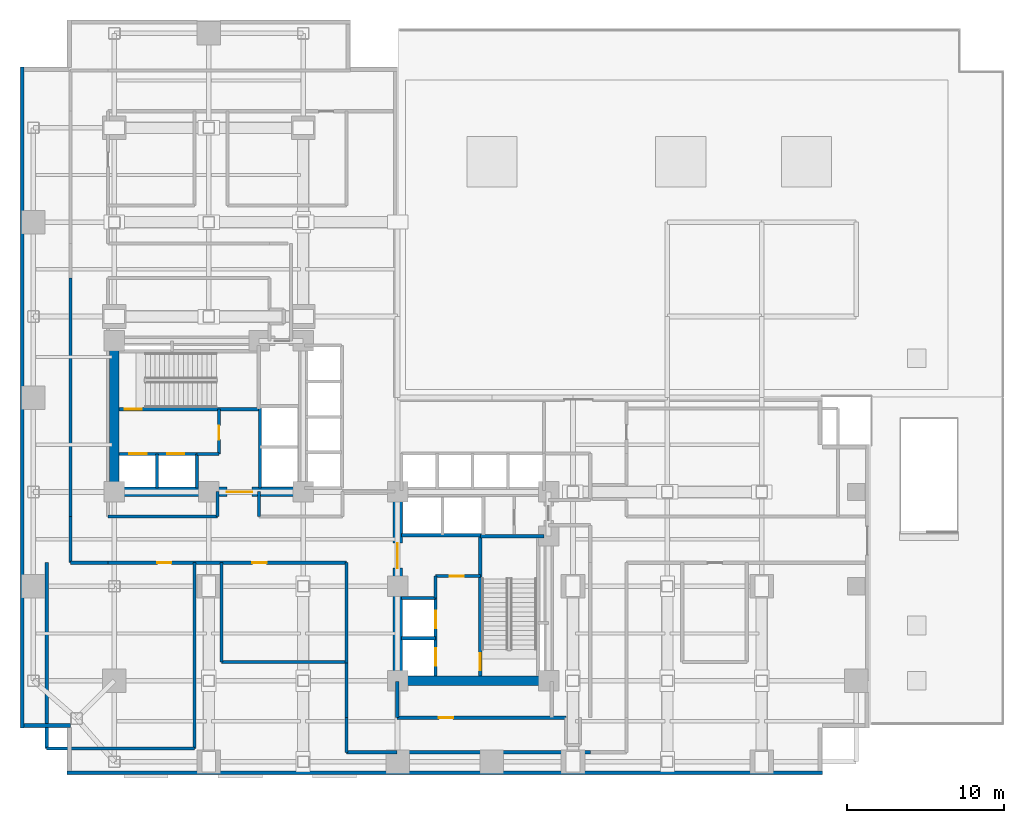
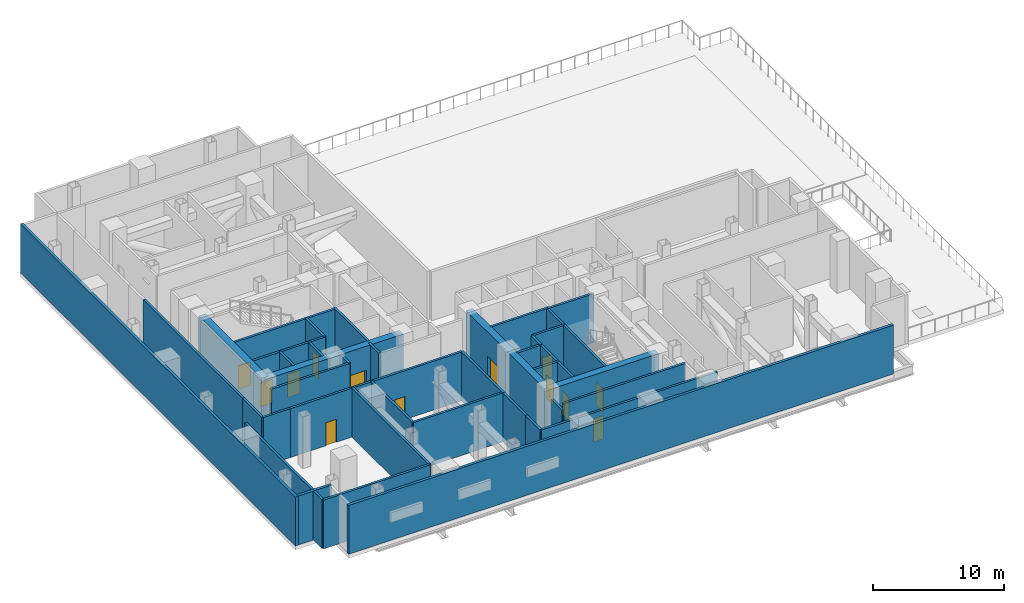
# One storey, part 4 of 8: 41 walls, 13 doors, 13 openings.
"""IFC4 building model written with IfcOpenShell, lengths in metres."""

from ifc_helpers import new_model, si_unit, direction, frame, frame_2d, origin, place, context, subcontext, project, spatial, rectangle, extrude, material, layer, layer_set, type_object, element, fill, save


model = new_model("IFC4")

# Units and contexts
model_context = context("Model", 3, precision=1e-05, world=origin(), true_north=direction((0.0, 1.0)))
body_context = subcontext(model_context, "Body", "Model", "MODEL_VIEW")
ifc_project = project(units=[si_unit("LENGTHUNIT", "METRE"), si_unit("AREAUNIT", "SQUARE_METRE"), si_unit("VOLUMEUNIT", "CUBIC_METRE"), si_unit("PLANEANGLEUNIT", "RADIAN"), si_unit("MASSUNIT", "GRAM", prefix="KILO"), si_unit("THERMODYNAMICTEMPERATUREUNIT", "KELVIN"), si_unit("POWERUNIT", "WATT")], contexts=[model_context])

# Site, building, storey
site_placement = place(None, origin())
site = spatial("IfcSite", under=ifc_project, at=site_placement, CompositionType="ELEMENT")
building_placement = place(site_placement, origin())
building = spatial("IfcBuilding", under=site, at=building_placement, Name="Svarakhadi Broadcast Tower", CompositionType="ELEMENT")
storey_placement = place(building_placement, frame((0.0, 0.0, 27.60009765625)))
storey = spatial("IfcBuildingStorey", under=building, at=storey_placement, Name="L05", CompositionType="ELEMENT", Elevation=27.60009765625)

# Walls
ifc_material_1 = material(Name="Concrete C40/50 (IS 456 M50)", Category="concrete")
ifc_layer_1 = layer(ifc_material_1, 0.239990234375)
ifc_layer_set_1 = layer_set([ifc_layer_1], Name="Concrete C40/50 (IS 456 M50)")
wall_type_1 = type_object("IfcWallType", Name="Wall_Ext_240", PredefinedType="SOLIDWALL", material=ifc_layer_set_1)
wall_1_placement = place(storey_placement, frame((51.0, 0.14990234375, 0.0), z_axis=(0.0, 0.0, 1.0), x_axis=(-1.0, 0.0, 0.0)))
element("IfcWall", 1, at=wall_1_placement, inside=storey, type_object=wall_type_1, Name="L05 South Mechanical Acoustic Louvred Plant Wall", PredefinedType="SOLIDWALL", context=body_context, shape_type="SweptSolid", body=[
    extrude(rectangle(XDim=48.0, YDim=0.239990234375, at=frame_2d((24.0, 0.0))), origin(), (0.0, 0.0, 1.0), 4.5498046875),
])
wall_2_placement = place(storey_placement, frame((0.14990234375, 3.0, 0.0), z_axis=(0.0, 0.0, 1.0), x_axis=(0.0, 1.0, 0.0)))
element("IfcWall", 2, at=wall_2_placement, inside=storey, type_object=wall_type_1, Name="L05 West Mechanical Acoustic Louvred Plant Wall", PredefinedType="SOLIDWALL", context=body_context, shape_type="SweptSolid", body=[
    extrude(rectangle(XDim=42.0, YDim=0.239990234375, at=frame_2d((21.0, 0.0))), origin(), (0.0, 0.0, 1.0), 4.5498046875),
])
wall_3_placement = place(storey_placement, frame((3.22509765625, 3.14990234375, 0.0), z_axis=(0.0, 0.0, 1.0), x_axis=(-1.0, 0.0, 0.0)))
element("IfcWall", 3, at=wall_3_placement, inside=storey, type_object=wall_type_1, Name="L05 Perimeter Bronze Spandrel Closure Wall 01", PredefinedType="SOLIDWALL", context=body_context, shape_type="SweptSolid", body=[
    extrude(rectangle(XDim=2.97021484375, YDim=0.239990234375, at=frame_2d((1.485107421875, 0.0))), origin(), (0.0, 0.0, 1.0), 4.5498046875),
])
ifc_layer_2 = layer(ifc_material_1, 0.199951171875)
ifc_layer_set_2 = layer_set([ifc_layer_2], Name="Concrete C40/50 (IS 456 M50)")
wall_type_2 = type_object("IfcWallType", Name="Wall_Fire_200", PredefinedType="SOLIDWALL", material=ifc_layer_set_2)
wall_4_placement = place(storey_placement, frame((3.199951171875, 16.449951171875, 0.0), z_axis=(0.0, 0.0, 1.0), x_axis=(0.0, 1.0, 0.0)))
element("IfcWall", 4, at=wall_4_placement, inside=storey, type_object=wall_type_2, Name="L05 Plant Service Corridor Wall", PredefinedType="SOLIDWALL", context=body_context, shape_type="SweptSolid", body=[
    extrude(rectangle(XDim=15.150146484375, YDim=0.199951171875, at=frame_2d((7.5751953125, 0.0))), origin(), (0.0, 0.0, 1.0), 4.5498046875),
])
wall_5_placement = place(storey_placement, frame((5.60009765625, 16.449951171875, 0.0), z_axis=(0.0, 0.0, 1.0), x_axis=(1.0, 0.0, 0.0)))
element("IfcWall", 5, at=wall_5_placement, inside=storey, type_object=wall_type_2, Name="L05 Plant Service Corridor Wall", PredefinedType="SOLIDWALL", context=body_context, shape_type="SweptSolid", body=[
    extrude(rectangle(XDim=6.949951171875, YDim=0.199951171875, at=frame_2d((3.47509765625, 0.0))), origin(), (0.0, 0.0, 1.0), 4.5498046875),
])
for number, where, z_axis, x_axis, name in (
    (6, (12.550048828125, 16.449951171875, 0.0), (0.0, 0.0, 1.0), (0.0, 1.0, 0.0), "L05 Plant Service Corridor Wall"),
    (7, (15.199951171875, 18.02001953125, 0.0), (0.0, 0.0, 1.0), (0.0, -1.0, 0.0), "L05 Plant Service Corridor Wall"),
):
    element("IfcWall", number, at=place(storey_placement, frame(where, z_axis=z_axis, x_axis=x_axis)), inside=storey, type_object=wall_type_2, Name=name, PredefinedType="SOLIDWALL", context=body_context, shape_type="SweptSolid", body=[
        extrude(rectangle(XDim=1.570068359375, YDim=0.199951171875, at=frame_2d((0.78515625, 0.0))), origin(), (0.0, 0.0, 1.0), 4.5498046875),
    ])

# Wall, opening, door
wall_6_placement = place(storey_placement, frame((23.97998046875, 3.64990234375, 0.0), z_axis=(0.0, 0.0, 1.0), x_axis=(1.0, 0.0, 0.0)))
wall_6 = element("IfcWall", 8, at=wall_6_placement, inside=storey, type_object=wall_type_2, Name="L05 Plant Service Corridor Wall", PredefinedType="SOLIDWALL", context=body_context, shape_type="SweptSolid", body=[
    extrude(rectangle(XDim=10.719970703125, YDim=0.199951171875, at=frame_2d((5.35986328125, 0.0))), origin(), (0.0, 0.0, 1.0), 4.5498046875),
])
opening_1_placement = place(wall_6_placement, frame((2.64501953125, 0.0, 0.0)))
opening_1 = element("IfcOpeningElement", 9, at=opening_1_placement, cuts=wall_6, Name="Opening D-03", PredefinedType="OPENING", context=body_context, shape_type="SweptSolid", body=[
    extrude(rectangle(XDim=0.89990234375, YDim=2.14990234375, at=frame_2d((0.449951171875, 1.074951171875))), frame((0.0, 0.10986328125, 0.0), z_axis=(0.0, -1.0, 0.0), x_axis=(1.0, 0.0, 0.0)), (0.0, 0.0, 1.0), 0.219970703125),
])
ifc_material_2 = material(Name="Galvanised Powder-Coated Fire-Rated Steel Leaf", Category="steel")
door_type_1 = type_object("IfcDoorType", Name="Door_Fire_D03", OperationType="SINGLE_SWING_LEFT", PredefinedType="DOOR", material=ifc_material_2)
door_1_placement = place(opening_1_placement, origin())
door_1 = element("IfcDoor", 10, at=door_1_placement, inside=storey, type_object=door_type_1, Name="L05 Zone High-Voltage Switchgear Plant Room Door", OperationType="SINGLE_SWING_LEFT", OverallHeight=2.14990234375, OverallWidth=0.89990234375, PredefinedType="DOOR", context=body_context, shape_type="SweptSolid", body=[
    extrude(rectangle(XDim=0.89990234375, YDim=2.14990234375, at=frame_2d((0.449951171875, 1.074951171875))), frame((0.0, 0.02490234375, 0.0), z_axis=(0.0, -1.0, 0.0), x_axis=(1.0, 0.0, 0.0)), (0.0, 0.0, 1.0), 0.050048828125),
])
fill(opening_1, door_1)

# Walls
wall_7_placement = place(storey_placement, frame((36.25, 1.449951171875, 0.0), z_axis=(0.0, 0.0, 1.0), x_axis=(-1.0, 0.0, 0.0)))
element("IfcWall", 11, at=wall_7_placement, inside=storey, type_object=wall_type_2, Name="L05 Plant Service Corridor Wall", PredefinedType="SOLIDWALL", context=body_context, shape_type="SweptSolid", body=[
    extrude(rectangle(XDim=12.27001953125, YDim=0.199951171875, at=frame_2d((6.135009765625, 0.0))), origin(), (0.0, 0.0, 1.0), 4.5498046875),
])
wall_8_placement = place(storey_placement, frame((23.97998046875, 1.449951171875, 0.0), z_axis=(0.0, 0.0, 1.0), x_axis=(-1.0, 0.0, 0.0)))
element("IfcWall", 12, at=wall_8_placement, inside=storey, type_object=wall_type_2, Name="L05 Plant Service Corridor Wall", PredefinedType="SOLIDWALL", context=body_context, shape_type="SweptSolid", body=[
    extrude(rectangle(XDim=3.22998046875, YDim=0.199951171875, at=frame_2d((1.614990234375, 0.0))), origin(), (0.0, 0.0, 1.0), 4.5498046875),
])
wall_9_placement = place(storey_placement, frame((20.75, 1.449951171875, 0.0), z_axis=(0.0, 0.0, 1.0), x_axis=(0.0, 1.0, 0.0)))
element("IfcWall", 13, at=wall_9_placement, inside=storey, type_object=wall_type_2, Name="L05 Plant Service Corridor Wall", PredefinedType="SOLIDWALL", context=body_context, shape_type="SweptSolid", body=[
    extrude(rectangle(XDim=2.199951171875, YDim=0.199951171875, at=frame_2d((1.10009765625, 0.0))), origin(), (0.0, 0.0, 1.0), 4.5498046875),
])
wall_10_placement = place(storey_placement, frame((20.75, 3.64990234375, 0.0), z_axis=(0.0, 0.0, 1.0), x_axis=(0.0, 1.0, 0.0)))
element("IfcWall", 14, at=wall_10_placement, inside=storey, type_object=wall_type_2, Name="L05 Plant Service Corridor Wall", PredefinedType="SOLIDWALL", context=body_context, shape_type="SweptSolid", body=[
    extrude(rectangle(XDim=3.47021484375, YDim=0.199951171875, at=frame_2d((1.735107421875, 0.0))), origin(), (0.0, 0.0, 1.0), 4.5498046875),
])
wall_11_placement = place(storey_placement, frame((20.75, 7.1201171875, 0.0), z_axis=(0.0, 0.0, 1.0), x_axis=(0.0, 1.0, 0.0)))
element("IfcWall", 15, at=wall_11_placement, inside=storey, type_object=wall_type_2, Name="L05 Plant Service Corridor Wall", PredefinedType="SOLIDWALL", context=body_context, shape_type="SweptSolid", body=[
    extrude(rectangle(XDim=6.3798828125, YDim=0.199951171875, at=frame_2d((3.18994140625, 0.0))), origin(), (0.0, 0.0, 1.0), 4.5498046875),
])

# Wall, openings, doors
wall_12_placement = place(storey_placement, frame((20.75, 13.5, 0.0), z_axis=(0.0, 0.0, 1.0), x_axis=(-1.0, 0.0, 0.0)))
wall_12 = element("IfcWall", 16, at=wall_12_placement, inside=storey, type_object=wall_type_2, Name="L05 Plant Service Corridor Wall", PredefinedType="SOLIDWALL", context=body_context, shape_type="SweptSolid", body=[
    extrude(rectangle(XDim=15.14990234375, YDim=0.199951171875, at=frame_2d((7.574951171875, 0.0))), origin(), (0.0, 0.0, 1.0), 4.5498046875),
])
opening_2_placement = place(wall_12_placement, frame((11.125, 0.0, 0.0)))
opening_2 = element("IfcOpeningElement", 17, at=opening_2_placement, cuts=wall_12, Name="Opening D-04", PredefinedType="OPENING", context=body_context, shape_type="SweptSolid", body=[
    extrude(rectangle(XDim=0.89990234375, YDim=2.14990234375, at=frame_2d((0.449951171875, 1.074951171875))), frame((0.0, 0.10986328125, 0.0), z_axis=(0.0, -1.0, 0.0), x_axis=(1.0, 0.0, 0.0)), (0.0, 0.0, 1.0), 0.219970703125),
])
opening_3_placement = place(wall_12_placement, frame((5.074951171875, 0.0, 0.0)))
opening_3 = element("IfcOpeningElement", 18, at=opening_3_placement, cuts=wall_12, Name="Opening D-03", PredefinedType="OPENING", context=body_context, shape_type="SweptSolid", body=[
    extrude(rectangle(XDim=0.89990234375, YDim=2.14990234375, at=frame_2d((0.449951171875, 1.074951171875))), frame((0.0, 0.10986328125, 0.0), z_axis=(0.0, -1.0, 0.0), x_axis=(1.0, 0.0, 0.0)), (0.0, 0.0, 1.0), 0.219970703125),
])
door_2_placement = place(opening_3_placement, origin())
door_2 = element("IfcDoor", 19, at=door_2_placement, inside=storey, type_object=door_type_1, Name="L05 Pressurised Fire Refuge Area Central Door", OperationType="SINGLE_SWING_LEFT", OverallHeight=2.14990234375, OverallWidth=0.89990234375, PredefinedType="DOOR", context=body_context, shape_type="SweptSolid", body=[
    extrude(rectangle(XDim=0.89990234375, YDim=2.14990234375, at=frame_2d((0.449951171875, 1.074951171875))), frame((0.0, 0.02490234375, 0.0), z_axis=(0.0, -1.0, 0.0), x_axis=(1.0, 0.0, 0.0)), (0.0, 0.0, 1.0), 0.050048828125),
])
fill(opening_3, door_2)
door_type_2 = type_object("IfcDoorType", Name="Door_Fire_D04", OperationType="SINGLE_SWING_RIGHT", PredefinedType="DOOR", material=ifc_material_2)
door_3_placement = place(opening_2_placement, origin())
door_3 = element("IfcDoor", 20, at=door_3_placement, inside=storey, type_object=door_type_2, Name="L05 Pressurised Fire Refuge Area West Door", OperationType="SINGLE_SWING_RIGHT", OverallHeight=2.14990234375, OverallWidth=0.89990234375, PredefinedType="DOOR", context=body_context, shape_type="SweptSolid", body=[
    extrude(rectangle(XDim=0.89990234375, YDim=2.14990234375, at=frame_2d((0.449951171875, 1.074951171875))), frame((0.0, 0.02490234375, 0.0), z_axis=(0.0, -1.0, 0.0), x_axis=(1.0, 0.0, 0.0)), (0.0, 0.0, 1.0), 0.050048828125),
])
fill(opening_2, door_3)

# Walls
wall_13_placement = place(storey_placement, frame((5.60009765625, 13.5, 0.0), z_axis=(0.0, 0.0, 1.0), x_axis=(-1.0, 0.0, 0.0)))
element("IfcWall", 21, at=wall_13_placement, inside=storey, type_object=wall_type_2, Name="L05 Plant Service Corridor Wall", PredefinedType="SOLIDWALL", context=body_context, shape_type="SweptSolid", body=[
    extrude(rectangle(XDim=2.400146484375, YDim=0.199951171875, at=frame_2d((1.2001953125, 0.0))), origin(), (0.0, 0.0, 1.0), 4.5498046875),
])
wall_14_placement = place(storey_placement, frame((3.199951171875, 13.5, 0.0), z_axis=(0.0, 0.0, 1.0), x_axis=(0.0, 1.0, 0.0)))
element("IfcWall", 22, at=wall_14_placement, inside=storey, type_object=wall_type_2, Name="L05 Plant Service Corridor Wall", PredefinedType="SOLIDWALL", context=body_context, shape_type="SweptSolid", body=[
    extrude(rectangle(XDim=2.949951171875, YDim=0.199951171875, at=frame_2d((1.47509765625, 0.0))), origin(), (0.0, 0.0, 1.0), 4.5498046875),
])
wall_15_placement = place(storey_placement, frame((1.699951171875, 1.699951171875, 0.0), z_axis=(0.0, 0.0, 1.0), x_axis=(1.0, 0.0, 0.0)))
element("IfcWall", 23, at=wall_15_placement, inside=storey, type_object=wall_type_2, Name="L05 Pressurised Fire Refuge Area West Wall", PredefinedType="SOLIDWALL", context=body_context, shape_type="SweptSolid", body=[
    extrude(rectangle(XDim=9.400146484375, YDim=0.199951171875, at=frame_2d((4.7001953125, 0.0))), origin(), (0.0, 0.0, 1.0), 4.5498046875),
])
for number, where, z_axis, x_axis, name in (
    (24, (1.699951171875, 1.699951171875, 0.0), (0.0, 0.0, 1.0), (0.0, 1.0, 0.0), "L05 Pressurised Fire Refuge Area West Wall"),
    (25, (11.10009765625, 1.699951171875, 0.0), (0.0, 0.0, 1.0), (0.0, 1.0, 0.0), "L05 Pressurised Fire Refuge Area West Wall"),
):
    element("IfcWall", number, at=place(storey_placement, frame(where, z_axis=z_axis, x_axis=x_axis)), inside=storey, type_object=wall_type_2, Name=name, PredefinedType="SOLIDWALL", context=body_context, shape_type="SweptSolid", body=[
        extrude(rectangle(XDim=11.800048828125, YDim=0.199951171875, at=frame_2d((5.89990234375, 0.0))), origin(), (0.0, 0.0, 1.0), 4.5498046875),
    ])
wall_16_placement = place(storey_placement, frame((12.800048828125, 7.199951171875, 0.0), z_axis=(0.0, 0.0, 1.0), x_axis=(1.0, 0.0, 0.0)))
element("IfcWall", 26, at=wall_16_placement, inside=storey, type_object=wall_type_2, Name="L05 Pressurised Fire Refuge Area Central Wall", PredefinedType="SOLIDWALL", context=body_context, shape_type="SweptSolid", body=[
    extrude(rectangle(XDim=7.949951171875, YDim=0.199951171875, at=frame_2d((3.97509765625, 0.0))), origin(), (0.0, 0.0, 1.0), 4.5498046875),
])
wall_17_placement = place(storey_placement, frame((12.800048828125, 7.199951171875, 0.0), z_axis=(0.0, 0.0, 1.0), x_axis=(0.0, 1.0, 0.0)))
element("IfcWall", 27, at=wall_17_placement, inside=storey, type_object=wall_type_2, Name="L05 Pressurised Fire Refuge Area Central Wall", PredefinedType="SOLIDWALL", context=body_context, shape_type="SweptSolid", body=[
    extrude(rectangle(XDim=6.300048828125, YDim=0.199951171875, at=frame_2d((3.14990234375, 0.0))), origin(), (0.0, 0.0, 1.0), 4.5498046875),
])
wall_18_placement = place(storey_placement, frame((23.97998046875, 3.64990234375, 0.0), z_axis=(0.0, 0.0, 1.0), x_axis=(0.0, 1.0, 0.0)))
element("IfcWall", 28, at=wall_18_placement, inside=storey, type_object=wall_type_2, Name="L05 Zone High-Voltage Switchgear Plant Room Wall", PredefinedType="SOLIDWALL", context=body_context, shape_type="SweptSolid", body=[
    extrude(rectangle(XDim=2.300048828125, YDim=0.199951171875, at=frame_2d((1.14990234375, 0.0))), origin(), (0.0, 0.0, 1.0), 3.891845703125),
])

# Wall, opening, door
ifc_material_3 = material(Name="Concrete C50/60 (IS 456 M60)", Category="concrete")
ifc_layer_3 = layer(ifc_material_3, 0.199951171875)
ifc_layer_set_3 = layer_set([ifc_layer_3], Name="Concrete C50/60 (IS 456 M60)")
wall_type_3 = type_object("IfcWallType", Name="Wall_Shear_200", PredefinedType="SHEAR", material=ifc_layer_set_3)
wall_19_placement = place(storey_placement, frame((6.300048828125, 23.260009765625, 0.0), z_axis=(0.0, 0.0, 1.0), x_axis=(1.0, 0.0, 0.0)))
wall_19 = element("IfcWall", 29, at=wall_19_placement, inside=storey, type_object=wall_type_3, Name="L05 Stair ST-01 South RC Shaft Wall", PredefinedType="SHEAR", context=body_context, shape_type="SweptSolid", body=[
    extrude(rectangle(XDim=8.8798828125, YDim=0.199951171875, at=frame_2d((4.43994140625, 0.0))), origin(), (0.0, 0.0, 1.0), 4.5498046875),
])
opening_4_placement = place(wall_19_placement, frame((0.35009765625, 0.0, 0.0)))
opening_4 = element("IfcOpeningElement", 30, at=opening_4_placement, cuts=wall_19, Name="Opening D-01", PredefinedType="OPENING", context=body_context, shape_type="SweptSolid", body=[
    extrude(rectangle(XDim=1.10009765625, YDim=2.199951171875, at=frame_2d((0.550048828125, 1.10009765625))), frame((0.0, 0.10986328125, 0.0), z_axis=(0.0, -1.0, 0.0), x_axis=(1.0, 0.0, 0.0)), (0.0, 0.0, 1.0), 0.219970703125),
])
door_type_3 = type_object("IfcDoorType", Name="Door_Stair_D01", OperationType="SINGLE_SWING_LEFT", PredefinedType="DOOR", material=ifc_material_2)
door_4_placement = place(opening_4_placement, origin())
door_4 = element("IfcDoor", 31, at=door_4_placement, inside=storey, type_object=door_type_3, Name="L05 Protected Exit Stair ST-01 Fire Door", OperationType="SINGLE_SWING_LEFT", OverallHeight=2.199951171875, OverallWidth=1.10009765625, PredefinedType="DOOR", context=body_context, shape_type="SweptSolid", body=[
    extrude(rectangle(XDim=1.10009765625, YDim=2.199951171875, at=frame_2d((0.550048828125, 1.10009765625))), frame((0.0, 0.02490234375, 0.0), z_axis=(0.0, -1.0, 0.0), x_axis=(1.0, 0.0, 0.0)), (0.0, 0.0, 1.0), 0.050048828125),
])
fill(opening_4, door_4)

wall_20_placement = place(storey_placement, frame((29.260009765625, 6.300048828125, 0.0), z_axis=(0.0, 0.0, 1.0), x_axis=(0.0, 1.0, 0.0)))
wall_20 = element("IfcWall", 32, at=wall_20_placement, inside=storey, type_object=wall_type_3, Name="L05 Stair ST-02 West RC Shaft Wall", PredefinedType="SHEAR", context=body_context, shape_type="SweptSolid", body=[
    extrude(rectangle(XDim=8.8798828125, YDim=0.199951171875, at=frame_2d((4.43994140625, 0.0))), origin(), (0.0, 0.0, 1.0), 4.5498046875),
])
opening_5_placement = place(wall_20_placement, frame((0.35009765625, 0.0, 0.0)))
opening_5 = element("IfcOpeningElement", 33, at=opening_5_placement, cuts=wall_20, Name="Opening D-02", PredefinedType="OPENING", context=body_context, shape_type="SweptSolid", body=[
    extrude(rectangle(XDim=1.10009765625, YDim=2.199951171875, at=frame_2d((0.550048828125, 1.10009765625))), frame((0.0, 0.10986328125, 0.0), z_axis=(0.0, -1.0, 0.0), x_axis=(1.0, 0.0, 0.0)), (0.0, 0.0, 1.0), 0.219970703125),
])
door_type_4 = type_object("IfcDoorType", Name="Door_Stair_D02", OperationType="SINGLE_SWING_RIGHT", PredefinedType="DOOR", material=ifc_material_2)
door_5_placement = place(opening_5_placement, origin())
door_5 = element("IfcDoor", 34, at=door_5_placement, inside=storey, type_object=door_type_4, Name="L05 Protected Exit Stair ST-02 Fire Door", OperationType="SINGLE_SWING_RIGHT", OverallHeight=2.199951171875, OverallWidth=1.10009765625, PredefinedType="DOOR", context=body_context, shape_type="SweptSolid", body=[
    extrude(rectangle(XDim=1.10009765625, YDim=2.199951171875, at=frame_2d((0.550048828125, 1.10009765625))), frame((0.0, 0.02490234375, 0.0), z_axis=(0.0, -1.0, 0.0), x_axis=(1.0, 0.0, 0.0)), (0.0, 0.0, 1.0), 0.050048828125),
])
fill(opening_5, door_5)

# Wall
wall_21_placement = place(storey_placement, frame((29.260009765625, 15.179931640625, 0.0), z_axis=(0.0, 0.0, 1.0), x_axis=(1.0, 0.0, 0.0)))
element("IfcWall", 35, at=wall_21_placement, inside=storey, type_object=wall_type_3, Name="L05 Stair ST-02 North RC Shaft Wall", PredefinedType="SHEAR", context=body_context, shape_type="SweptSolid", body=[
    extrude(rectangle(XDim=4.0400390625, YDim=0.199951171875, at=frame_2d((2.02001953125, 0.0))), origin(), (0.0, 0.0, 1.0), 4.5498046875),
])

# Wall, openings, doors
wall_22_placement = place(storey_placement, frame((6.300048828125, 20.419921875, 0.0), z_axis=(0.0, 0.0, 1.0), x_axis=(1.0, 0.0, 0.0)))
wall_22 = element("IfcWall", 36, at=wall_22_placement, inside=storey, type_object=wall_type_3, Name="L05 Firefighting Lift LF-01/02 Shaft Wall", PredefinedType="SHEAR", context=body_context, shape_type="SweptSolid", body=[
    extrude(rectangle(XDim=4.949951171875, YDim=0.199951171875, at=frame_2d((2.47509765625, 0.0))), origin(), (0.0, 0.0, 1.0), 4.5498046875),
])
opening_6_placement = place(wall_22_placement, frame((0.64990234375, 0.0, 0.0)))
opening_6 = element("IfcOpeningElement", 37, at=opening_6_placement, cuts=wall_22, Name="Opening LD-01", PredefinedType="OPENING", context=body_context, shape_type="SweptSolid", body=[
    extrude(rectangle(XDim=1.10009765625, YDim=2.199951171875, at=frame_2d((0.550048828125, 1.10009765625))), frame((0.0, 0.10986328125, 0.0), z_axis=(0.0, -1.0, 0.0), x_axis=(1.0, 0.0, 0.0)), (0.0, 0.0, 1.0), 0.219970703125),
])
opening_7_placement = place(wall_22_placement, frame((3.050048828125, 0.0, 0.0)))
opening_7 = element("IfcOpeningElement", 38, at=opening_7_placement, cuts=wall_22, Name="Opening LD-01", PredefinedType="OPENING", context=body_context, shape_type="SweptSolid", body=[
    extrude(rectangle(XDim=1.10009765625, YDim=2.199951171875, at=frame_2d((0.550048828125, 1.10009765625))), frame((0.0, 0.10986328125, 0.0), z_axis=(0.0, -1.0, 0.0), x_axis=(1.0, 0.0, 0.0)), (0.0, 0.0, 1.0), 0.219970703125),
])
door_type_5 = type_object("IfcDoorType", Name="Door_Lift_LD01", OperationType="SLIDING_TO_LEFT", PredefinedType="DOOR", material=ifc_material_2)
door_6_placement = place(opening_6_placement, origin())
door_6 = element("IfcDoor", 39, at=door_6_placement, inside=storey, type_object=door_type_5, Name="L05 Firefighting Lift LF-01 Landing Door", OperationType="SLIDING_TO_LEFT", OverallHeight=2.199951171875, OverallWidth=1.10009765625, PredefinedType="DOOR", context=body_context, shape_type="SweptSolid", body=[
    extrude(rectangle(XDim=1.10009765625, YDim=2.199951171875, at=frame_2d((0.550048828125, 1.10009765625))), frame((0.0, 0.02490234375, 0.0), z_axis=(0.0, -1.0, 0.0), x_axis=(1.0, 0.0, 0.0)), (0.0, 0.0, 1.0), 0.050048828125),
])
fill(opening_6, door_6)
door_7_placement = place(opening_7_placement, origin())
door_7 = element("IfcDoor", 40, at=door_7_placement, inside=storey, type_object=door_type_5, Name="L05 Firefighting Lift LF-02 Landing Door", OperationType="SLIDING_TO_LEFT", OverallHeight=2.199951171875, OverallWidth=1.10009765625, PredefinedType="DOOR", context=body_context, shape_type="SweptSolid", body=[
    extrude(rectangle(XDim=1.10009765625, YDim=2.199951171875, at=frame_2d((0.550048828125, 1.10009765625))), frame((0.0, 0.02490234375, 0.0), z_axis=(0.0, -1.0, 0.0), x_axis=(1.0, 0.0, 0.0)), (0.0, 0.0, 1.0), 0.050048828125),
])
fill(opening_7, door_7)

# Walls
for number, where, z_axis, x_axis, name in (
    (41, (8.699951171875, 18.25, 0.0), (0.0, 0.0, 1.0), (0.0, 1.0, 0.0), "L05 Firefighting Lift LF-01/02 Divider Wall"),
    (42, (11.25, 18.25, 0.0), (0.0, 0.0, 1.0), (0.0, 1.0, 0.0), "L05 Firefighting Lift LF-02 East Wall"),
):
    element("IfcWall", number, at=place(storey_placement, frame(where, z_axis=z_axis, x_axis=x_axis)), inside=storey, type_object=wall_type_3, Name=name, PredefinedType="SHEAR", context=body_context, shape_type="SweptSolid", body=[
        extrude(rectangle(XDim=2.169921875, YDim=0.199951171875, at=frame_2d((1.0849609375, 0.0))), origin(), (0.0, 0.0, 1.0), 4.5498046875),
    ])
wall_23_placement = place(storey_placement, frame((11.25, 20.419921875, 0.0), z_axis=(0.0, 0.0, 1.0), x_axis=(1.0, 0.0, 0.0)))
element("IfcWall", 43, at=wall_23_placement, inside=storey, type_object=wall_type_3, Name="L05 West Firefighting Lobby South Wall", PredefinedType="SHEAR", context=body_context, shape_type="SweptSolid", body=[
    extrude(rectangle(XDim=1.39990234375, YDim=0.199951171875, at=frame_2d((0.699951171875, 0.0))), origin(), (0.0, 0.0, 1.0), 4.5498046875),
])

# Wall, opening, door
wall_24_placement = place(storey_placement, frame((12.64990234375, 20.419921875, 0.0), z_axis=(0.0, 0.0, 1.0), x_axis=(0.0, 1.0, 0.0)))
wall_24 = element("IfcWall", 44, at=wall_24_placement, inside=storey, type_object=wall_type_3, Name="L05 West Firefighting Lobby East Wall", PredefinedType="SHEAR", context=body_context, shape_type="SweptSolid", body=[
    extrude(rectangle(XDim=2.840087890625, YDim=0.199951171875, at=frame_2d((1.419921875, 0.0))), origin(), (0.0, 0.0, 1.0), 4.5498046875),
])
opening_8_placement = place(wall_24_placement, frame((0.89990234375, 0.0, 0.0)))
opening_8 = element("IfcOpeningElement", 45, at=opening_8_placement, cuts=wall_24, Name="Opening D-04", PredefinedType="OPENING", context=body_context, shape_type="SweptSolid", body=[
    extrude(rectangle(XDim=0.89990234375, YDim=2.14990234375, at=frame_2d((0.449951171875, 1.074951171875))), frame((0.0, 0.10986328125, 0.0), z_axis=(0.0, -1.0, 0.0), x_axis=(1.0, 0.0, 0.0)), (0.0, 0.0, 1.0), 0.219970703125),
])
door_8_placement = place(opening_8_placement, origin())
door_8 = element("IfcDoor", 46, at=door_8_placement, inside=storey, type_object=door_type_2, Name="L05 West Firefighting Lobby Fire Door", OperationType="SINGLE_SWING_RIGHT", OverallHeight=2.14990234375, OverallWidth=0.89990234375, PredefinedType="DOOR", context=body_context, shape_type="SweptSolid", body=[
    extrude(rectangle(XDim=0.89990234375, YDim=2.14990234375, at=frame_2d((0.449951171875, 1.074951171875))), frame((0.0, 0.02490234375, 0.0), z_axis=(0.0, -1.0, 0.0), x_axis=(1.0, 0.0, 0.0)), (0.0, 0.0, 1.0), 0.050048828125),
])
fill(opening_8, door_8)

# Wall, openings, doors
wall_25_placement = place(storey_placement, frame((26.419921875, 6.300048828125, 0.0), z_axis=(0.0, 0.0, 1.0), x_axis=(0.0, 1.0, 0.0)))
wall_25 = element("IfcWall", 47, at=wall_25_placement, inside=storey, type_object=wall_type_3, Name="L05 Firefighting Lift LF-03/04 Shaft Wall", PredefinedType="SHEAR", context=body_context, shape_type="SweptSolid", body=[
    extrude(rectangle(XDim=4.949951171875, YDim=0.199951171875, at=frame_2d((2.47509765625, 0.0))), origin(), (0.0, 0.0, 1.0), 4.5498046875),
])
opening_9_placement = place(wall_25_placement, frame((0.64990234375, 0.0, 0.0)))
opening_9 = element("IfcOpeningElement", 48, at=opening_9_placement, cuts=wall_25, Name="Opening LD-01", PredefinedType="OPENING", context=body_context, shape_type="SweptSolid", body=[
    extrude(rectangle(XDim=1.10009765625, YDim=2.199951171875, at=frame_2d((0.550048828125, 1.10009765625))), frame((0.0, 0.10986328125, 0.0), z_axis=(0.0, -1.0, 0.0), x_axis=(1.0, 0.0, 0.0)), (0.0, 0.0, 1.0), 0.219970703125),
])
opening_10_placement = place(wall_25_placement, frame((3.050048828125, 0.0, 0.0)))
opening_10 = element("IfcOpeningElement", 49, at=opening_10_placement, cuts=wall_25, Name="Opening LD-01", PredefinedType="OPENING", context=body_context, shape_type="SweptSolid", body=[
    extrude(rectangle(XDim=1.10009765625, YDim=2.199951171875, at=frame_2d((0.550048828125, 1.10009765625))), frame((0.0, 0.10986328125, 0.0), z_axis=(0.0, -1.0, 0.0), x_axis=(1.0, 0.0, 0.0)), (0.0, 0.0, 1.0), 0.219970703125),
])
door_9_placement = place(opening_9_placement, origin())
door_9 = element("IfcDoor", 50, at=door_9_placement, inside=storey, type_object=door_type_5, Name="L05 Firefighting Lift LF-03 Landing Door", OperationType="SLIDING_TO_LEFT", OverallHeight=2.199951171875, OverallWidth=1.10009765625, PredefinedType="DOOR", context=body_context, shape_type="SweptSolid", body=[
    extrude(rectangle(XDim=1.10009765625, YDim=2.199951171875, at=frame_2d((0.550048828125, 1.10009765625))), frame((0.0, 0.02490234375, 0.0), z_axis=(0.0, -1.0, 0.0), x_axis=(1.0, 0.0, 0.0)), (0.0, 0.0, 1.0), 0.050048828125),
])
fill(opening_9, door_9)
door_10_placement = place(opening_10_placement, origin())
door_10 = element("IfcDoor", 51, at=door_10_placement, inside=storey, type_object=door_type_5, Name="L05 Firefighting Lift LF-04 Landing Door", OperationType="SLIDING_TO_LEFT", OverallHeight=2.199951171875, OverallWidth=1.10009765625, PredefinedType="DOOR", context=body_context, shape_type="SweptSolid", body=[
    extrude(rectangle(XDim=1.10009765625, YDim=2.199951171875, at=frame_2d((0.550048828125, 1.10009765625))), frame((0.0, 0.02490234375, 0.0), z_axis=(0.0, -1.0, 0.0), x_axis=(1.0, 0.0, 0.0)), (0.0, 0.0, 1.0), 0.050048828125),
])
fill(opening_10, door_10)

# Walls
for number, where, z_axis, x_axis, name in (
    (52, (24.25, 8.699951171875, 0.0), (0.0, 0.0, 1.0), (1.0, 0.0, 0.0), "L05 Firefighting Lift LF-03/04 Divider Wall"),
    (53, (24.25, 11.25, 0.0), (0.0, 0.0, 1.0), (1.0, 0.0, 0.0), "L05 Firefighting Lift LF-04 North Wall"),
):
    element("IfcWall", number, at=place(storey_placement, frame(where, z_axis=z_axis, x_axis=x_axis)), inside=storey, type_object=wall_type_3, Name=name, PredefinedType="SHEAR", context=body_context, shape_type="SweptSolid", body=[
        extrude(rectangle(XDim=2.169921875, YDim=0.199951171875, at=frame_2d((1.0849609375, 0.0))), origin(), (0.0, 0.0, 1.0), 4.5498046875),
    ])
wall_26_placement = place(storey_placement, frame((26.419921875, 11.25, 0.0), z_axis=(0.0, 0.0, 1.0), x_axis=(0.0, 1.0, 0.0)))
element("IfcWall", 54, at=wall_26_placement, inside=storey, type_object=wall_type_3, Name="L05 East Firefighting Lobby West Wall", PredefinedType="SHEAR", context=body_context, shape_type="SweptSolid", body=[
    extrude(rectangle(XDim=1.39990234375, YDim=0.199951171875, at=frame_2d((0.699951171875, 0.0))), origin(), (0.0, 0.0, 1.0), 4.5498046875),
])

# Wall, opening, door
wall_27_placement = place(storey_placement, frame((26.419921875, 12.64990234375, 0.0), z_axis=(0.0, 0.0, 1.0), x_axis=(1.0, 0.0, 0.0)))
wall_27 = element("IfcWall", 55, at=wall_27_placement, inside=storey, type_object=wall_type_3, Name="L05 East Firefighting Lobby North Wall", PredefinedType="SHEAR", context=body_context, shape_type="SweptSolid", body=[
    extrude(rectangle(XDim=2.840087890625, YDim=0.199951171875, at=frame_2d((1.419921875, 0.0))), origin(), (0.0, 0.0, 1.0), 4.5498046875),
])
opening_11_placement = place(wall_27_placement, frame((0.89990234375, 0.0, 0.0)))
opening_11 = element("IfcOpeningElement", 56, at=opening_11_placement, cuts=wall_27, Name="Opening D-03", PredefinedType="OPENING", context=body_context, shape_type="SweptSolid", body=[
    extrude(rectangle(XDim=0.89990234375, YDim=2.14990234375, at=frame_2d((0.449951171875, 1.074951171875))), frame((0.0, 0.10986328125, 0.0), z_axis=(0.0, -1.0, 0.0), x_axis=(1.0, 0.0, 0.0)), (0.0, 0.0, 1.0), 0.219970703125),
])
door_11_placement = place(opening_11_placement, origin())
door_11 = element("IfcDoor", 57, at=door_11_placement, inside=storey, type_object=door_type_1, Name="L05 East Firefighting Lobby Fire Door", OperationType="SINGLE_SWING_LEFT", OverallHeight=2.14990234375, OverallWidth=0.89990234375, PredefinedType="DOOR", context=body_context, shape_type="SweptSolid", body=[
    extrude(rectangle(XDim=0.89990234375, YDim=2.14990234375, at=frame_2d((0.449951171875, 1.074951171875))), frame((0.0, 0.02490234375, 0.0), z_axis=(0.0, -1.0, 0.0), x_axis=(1.0, 0.0, 0.0)), (0.0, 0.0, 1.0), 0.050048828125),
])
fill(opening_11, door_11)

# Walls
for number, where, z_axis, x_axis, name in (
    (58, (15.25, 18.25, 0.0), (0.0, 0.0, 1.0), (0.0, 1.0, 0.0), "L05 High-Rise Lift LF-13/14 West Shaft Wall"),
    (59, (24.25, 15.25, 0.0), (0.0, 0.0, 1.0), (1.0, 0.0, 0.0), "L05 High-Rise Lift LF-15/16 South Shaft Wall"),
):
    element("IfcWall", number, at=place(storey_placement, frame(where, z_axis=z_axis, x_axis=x_axis)), inside=storey, type_object=wall_type_3, Name=name, PredefinedType="SHEAR", context=body_context, shape_type="SweptSolid", body=[
        extrude(rectangle(XDim=5.199951171875, YDim=0.199951171875, at=frame_2d((2.60009765625, 0.0))), origin(), (0.0, 0.0, 1.0), 4.5498046875),
    ])

# Wall, opening, door
ifc_material_4 = material(Name="Concrete C60/75 (IS 456 M70)", Category="concrete")
ifc_layer_4 = layer(ifc_material_4, 0.60009765625)
ifc_layer_set_4 = layer_set([ifc_layer_4], Name="Concrete C60/75 (IS 456 M70)")
wall_type_4 = type_object("IfcWallType", Name="Wall_Shear_600", PredefinedType="SHEAR", material=ifc_layer_set_4)
wall_28_placement = place(storey_placement, frame((6.0, 18.0, 0.0), z_axis=(0.0, 0.0, 1.0), x_axis=(1.0, 0.0, 0.0)))
wall_28 = element("IfcWall", 60, at=wall_28_placement, inside=storey, type_object=wall_type_4, Name="L05 West Core South Shear Wall", PredefinedType="SHEAR", context=body_context, shape_type="SweptSolid", body=[
    extrude(rectangle(XDim=12.0, YDim=0.60009765625, at=frame_2d((6.0, 0.0))), origin(), (0.0, 0.0, 1.0), 4.5498046875),
])
opening_12_placement = place(wall_28_placement, frame((7.14990234375, 0.0, 0.0)))
opening_12 = element("IfcOpeningElement", 61, at=opening_12_placement, cuts=wall_28, Name="Opening D-05", PredefinedType="OPENING", context=body_context, shape_type="SweptSolid", body=[
    extrude(rectangle(XDim=1.60009765625, YDim=2.300048828125, at=frame_2d((0.800048828125, 1.14990234375))), frame((0.0, 0.31005859375, 0.0), z_axis=(0.0, -1.0, 0.0), x_axis=(1.0, 0.0, 0.0)), (0.0, 0.0, 1.0), 0.6201171875),
])
ifc_material_5 = material(Name="Anodised Bronze Aluminium AA 6063-T6", Category="aluminium")
door_type_6 = type_object("IfcDoorType", Name="Door_Lobby_D05", OperationType="DOUBLE_DOOR_SLIDING", PredefinedType="DOOR", material=ifc_material_5)
door_12_placement = place(opening_12_placement, origin())
door_12 = element("IfcDoor", 62, at=door_12_placement, inside=storey, type_object=door_type_6, Name="L05 West Core Passenger Lift Lobby Entrance Door", OperationType="DOUBLE_DOOR_SLIDING", OverallHeight=2.300048828125, OverallWidth=1.60009765625, PredefinedType="DOOR", context=body_context, shape_type="SweptSolid", body=[
    extrude(rectangle(XDim=1.60009765625, YDim=2.300048828125, at=frame_2d((0.800048828125, 1.14990234375))), frame((0.0, 0.02490234375, 0.0), z_axis=(0.0, -1.0, 0.0), x_axis=(1.0, 0.0, 0.0)), (0.0, 0.0, 1.0), 0.050048828125),
])
fill(opening_12, door_12)

# Walls
for number, where, z_axis, x_axis, name in (
    (63, (6.0, 18.0, 0.0), (0.0, 0.0, 1.0), (0.0, 1.0, 0.0), "L05 West Core West Shear Wall"),
    (64, (24.0, 6.0, 0.0), (0.0, 0.0, 1.0), (1.0, 0.0, 0.0), "L05 East Core South Shear Wall"),
):
    element("IfcWall", number, at=place(storey_placement, frame(where, z_axis=z_axis, x_axis=x_axis)), inside=storey, type_object=wall_type_4, Name=name, PredefinedType="SHEAR", context=body_context, shape_type="SweptSolid", body=[
        extrude(rectangle(XDim=9.60009765625, YDim=0.60009765625, at=frame_2d((4.800048828125, 0.0))), origin(), (0.0, 0.0, 1.0), 4.5498046875),
    ])

# Wall, opening, door
wall_29_placement = place(storey_placement, frame((24.0, 6.0, 0.0), z_axis=(0.0, 0.0, 1.0), x_axis=(0.0, 1.0, 0.0)))
wall_29 = element("IfcWall", 65, at=wall_29_placement, inside=storey, type_object=wall_type_4, Name="L05 East Core West Shear Wall", PredefinedType="SHEAR", context=body_context, shape_type="SweptSolid", body=[
    extrude(rectangle(XDim=12.0, YDim=0.60009765625, at=frame_2d((6.0, 0.0))), origin(), (0.0, 0.0, 1.0), 4.5498046875),
])
opening_13_placement = place(wall_29_placement, frame((7.14990234375, 0.0, 0.0)))
opening_13 = element("IfcOpeningElement", 66, at=opening_13_placement, cuts=wall_29, Name="Opening D-05", PredefinedType="OPENING", context=body_context, shape_type="SweptSolid", body=[
    extrude(rectangle(XDim=1.60009765625, YDim=2.300048828125, at=frame_2d((0.800048828125, 1.14990234375))), frame((0.0, 0.31005859375, 0.0), z_axis=(0.0, -1.0, 0.0), x_axis=(1.0, 0.0, 0.0)), (0.0, 0.0, 1.0), 0.6201171875),
])
door_13_placement = place(opening_13_placement, origin())
door_13 = element("IfcDoor", 67, at=door_13_placement, inside=storey, type_object=door_type_6, Name="L05 East Core Passenger Lift Lobby Entrance Door", OperationType="DOUBLE_DOOR_SLIDING", OverallHeight=2.300048828125, OverallWidth=1.60009765625, PredefinedType="DOOR", context=body_context, shape_type="SweptSolid", body=[
    extrude(rectangle(XDim=1.60009765625, YDim=2.300048828125, at=frame_2d((0.800048828125, 1.14990234375))), frame((0.0, 0.02490234375, 0.0), z_axis=(0.0, -1.0, 0.0), x_axis=(1.0, 0.0, 0.0)), (0.0, 0.0, 1.0), 0.050048828125),
])
fill(opening_13, door_13)

save(model, "model.ifc")
